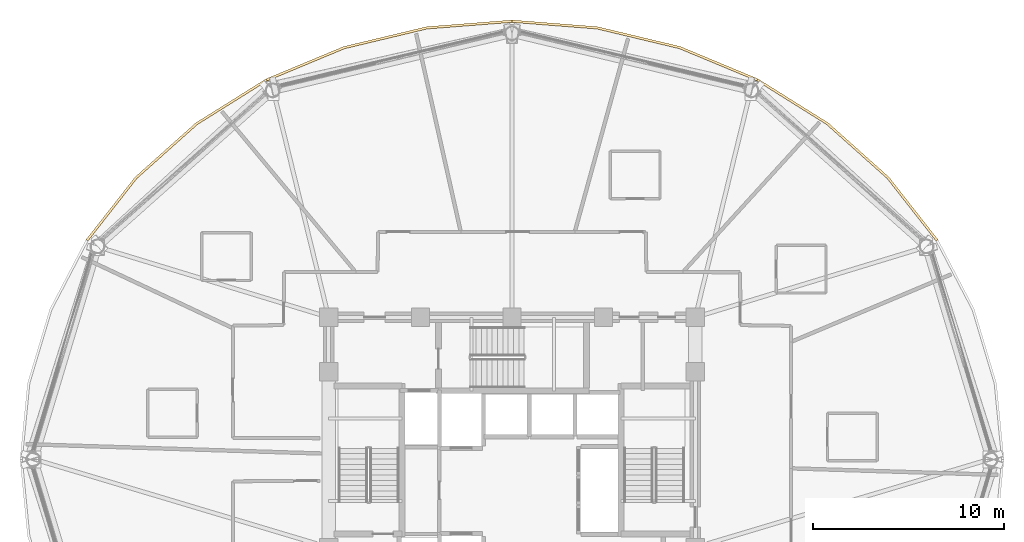
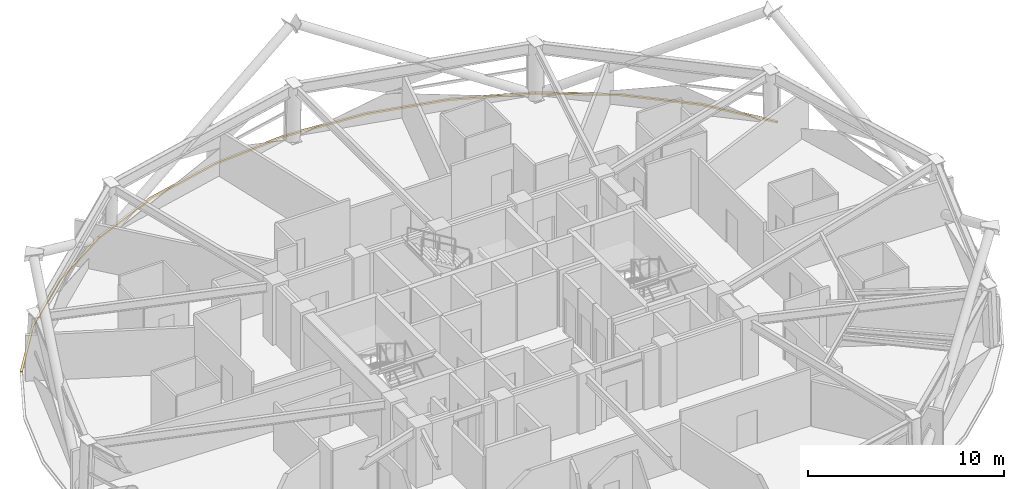
# One storey, part 15 of 15: 4 coverings.
"""IFC4 building model written with IfcOpenShell, lengths in metres."""

from ifc_helpers import new_model, si_unit, direction, frame, origin, place, context, subcontext, project, spatial, polyline, outline, extrude, material, layer, layer_set, type_object, element, save


model = new_model("IFC4")

# Units and contexts
model_context = context("Model", 3, precision=1e-05, world=origin(), true_north=direction((0.0, 1.0)))
body_context = subcontext(model_context, "Body", "Model", "MODEL_VIEW")
ifc_project = project(units=[si_unit("LENGTHUNIT", "METRE"), si_unit("AREAUNIT", "SQUARE_METRE"), si_unit("VOLUMEUNIT", "CUBIC_METRE"), si_unit("PLANEANGLEUNIT", "RADIAN"), si_unit("MASSUNIT", "GRAM", prefix="KILO")], contexts=[model_context])

# Site, building, storey
site_placement = place(None, origin())
site = spatial("IfcSite", under=ifc_project, at=site_placement, CompositionType="ELEMENT")
building_placement = place(site_placement, origin())
building = spatial("IfcBuilding", under=site, at=building_placement, Name="Vantalir Tower", CompositionType="ELEMENT")
storey_placement = place(building_placement, frame((0.0, 0.0, 134.699951171875)))
storey = spatial("IfcBuildingStorey", under=building, at=storey_placement, Name="L33", CompositionType="ELEMENT", Elevation=134.699951171875)

# Coverings
ifc_material = material(Name="Anodised champagne aluminium sill fascia", Category="aluminium")
ifc_layer = layer(ifc_material, 0.125)
ifc_layer_set = layer_set([ifc_layer], Name="Anodised champagne aluminium sill fascia")
covering_type = type_object("IfcCoveringType", Name="COV-SLAB-FASCIA-125", PredefinedType="CLADDING", material=ifc_layer_set)
covering_1_placement = place(storey_placement, frame((0.0, 0.0, -0.179931640625)))
element("IfcCovering", 1, at=covering_1_placement, inside=storey, type_object=covering_type, Name="L33 Perimeter Slab-Edge Sill Fascia 02", PredefinedType="CLADDING", context=body_context, shape_type="SweptSolid", body=[
    extrude(outline(polyline([(53.81591796875, 36.510009765625), (51.239013671875, 39.797119140625), (48.06298828125, 42.634033203125), (44.384033203125, 44.93603515625), (44.322021484375, 44.827880859375), (47.98291015625, 42.5390625), (51.14404296875, 39.717041015625), (53.70703125, 36.447021484375), (53.81591796875, 36.510009765625)])), origin(), (0.0, 0.0, 1.0), 0.10498046875),
])
covering_2_placement = place(storey_placement, frame((0.0, 0.0, -0.179931640625)))
element("IfcCovering", 2, at=covering_2_placement, inside=storey, type_object=covering_type, Name="L33 Perimeter Slab-Edge Sill Fascia 03", PredefinedType="CLADDING", context=body_context, shape_type="SweptSolid", body=[
    extrude(outline(polyline([(44.384033203125, 44.93603515625), (40.31298828125, 46.632080078125), (35.97509765625, 47.669921875), (31.5, 48.02001953125), (31.5, 47.89501953125), (35.952880859375, 47.547119140625), (40.27001953125, 46.513916015625), (44.322021484375, 44.827880859375), (44.384033203125, 44.93603515625)])), origin(), (0.0, 0.0, 1.0), 0.10498046875),
])
covering_3_placement = place(storey_placement, frame((0.0, 0.0, -0.179931640625)))
element("IfcCovering", 3, at=covering_3_placement, inside=storey, type_object=covering_type, Name="L33 Perimeter Slab-Edge Sill Fascia 04", PredefinedType="CLADDING", context=body_context, shape_type="SweptSolid", body=[
    extrude(outline(polyline([(31.5, 48.02001953125), (27.02490234375, 47.669921875), (22.68701171875, 46.632080078125), (18.615966796875, 44.93603515625), (18.678955078125, 44.827880859375), (22.72998046875, 46.513916015625), (27.047119140625, 47.547119140625), (31.5, 47.89501953125), (31.5, 48.02001953125)])), origin(), (0.0, 0.0, 1.0), 0.10498046875),
])
covering_4_placement = place(storey_placement, frame((0.0, 0.0, -0.179931640625)))
element("IfcCovering", 4, at=covering_4_placement, inside=storey, type_object=covering_type, Name="L33 Perimeter Slab-Edge Sill Fascia 05", PredefinedType="CLADDING", context=body_context, shape_type="SweptSolid", body=[
    extrude(outline(polyline([(18.615966796875, 44.93603515625), (14.93701171875, 42.634033203125), (11.760986328125, 39.797119140625), (9.18408203125, 36.510009765625), (9.29296875, 36.447021484375), (11.85595703125, 39.717041015625), (15.01708984375, 42.5390625), (18.678955078125, 44.827880859375), (18.615966796875, 44.93603515625)])), origin(), (0.0, 0.0, 1.0), 0.10498046875),
])

save(model, "model.ifc")
